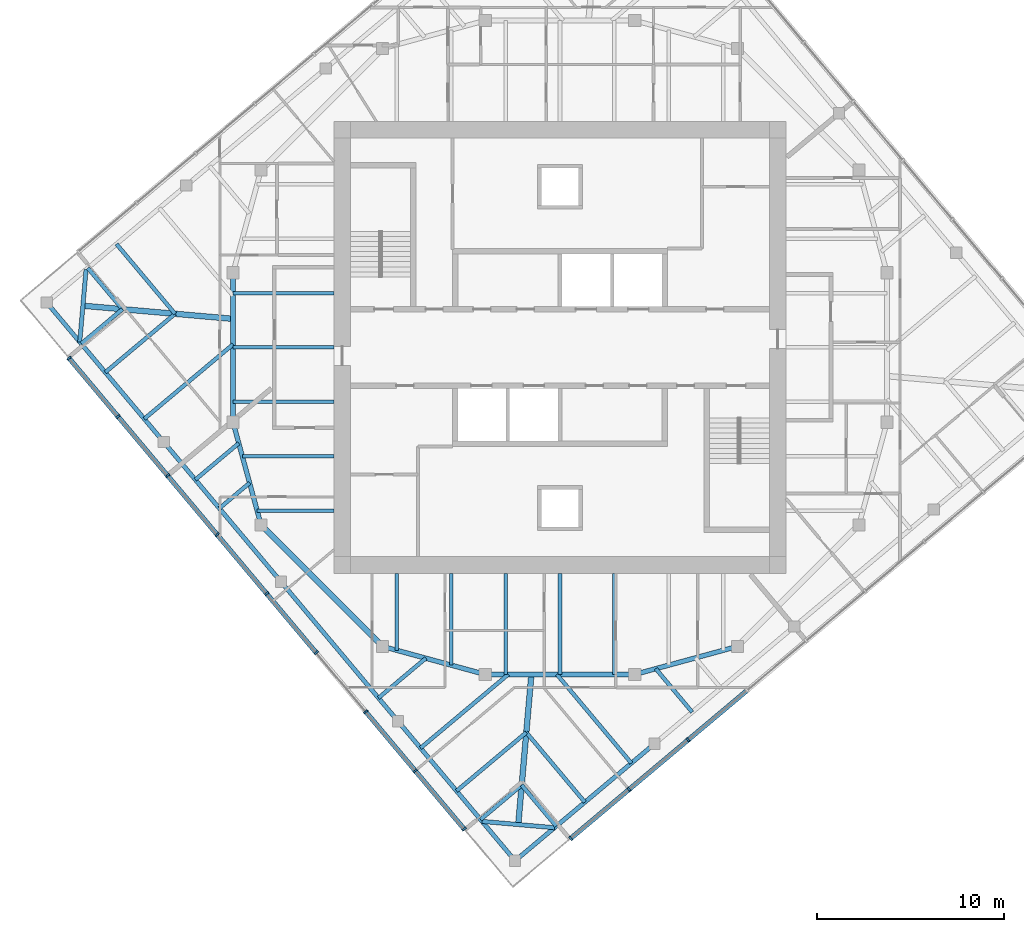
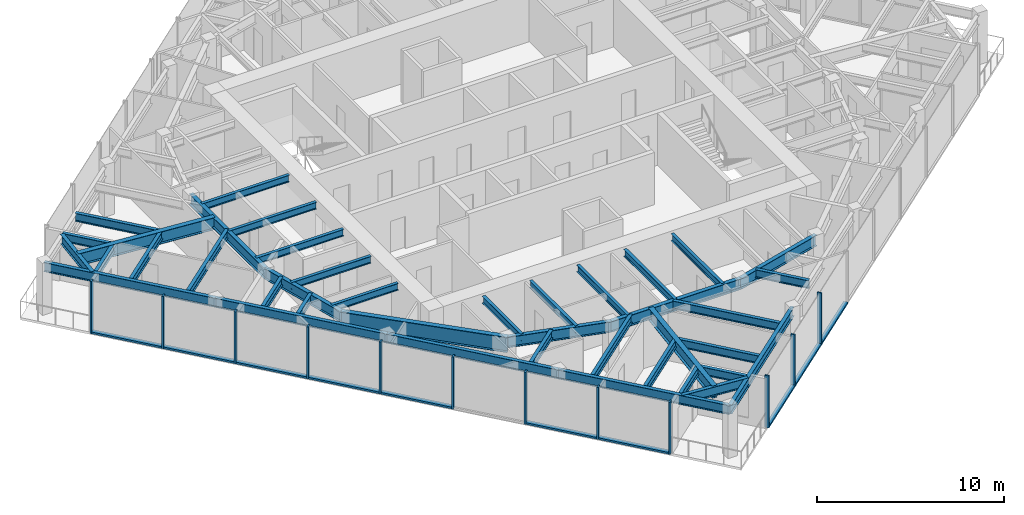
# One storey, part 2 of 12: 40 beams, 22 members, 2 elements without a shape of their own.
"""IFC4 building model written with IfcOpenShell, lengths in metres."""

from ifc_helpers import new_model, si_unit, direction, frame, origin, origin_2d, place, context, subcontext, project, spatial, rectangle, i_section, extrude, material, material_profile, profile_set, type_object, element, aggregate, save


model = new_model("IFC4")

# Units and contexts
model_context = context("Model", 3, precision=1e-05, world=origin(), true_north=direction((0.0, 1.0)))
body_context = subcontext(model_context, "Body", "Model", "MODEL_VIEW")
ifc_project = project(units=[si_unit("LENGTHUNIT", "METRE"), si_unit("AREAUNIT", "SQUARE_METRE"), si_unit("VOLUMEUNIT", "CUBIC_METRE"), si_unit("PLANEANGLEUNIT", "RADIAN"), si_unit("MASSUNIT", "GRAM", prefix="KILO")], contexts=[model_context])

# Site, building, storey
site_placement = place(None, origin())
site = spatial("IfcSite", under=ifc_project, at=site_placement, CompositionType="ELEMENT")
building_placement = place(site_placement, origin())
building = spatial("IfcBuilding", under=site, at=building_placement, Name="Torsade Residences", CompositionType="ELEMENT")
storey_placement = place(building_placement, frame((0.0, 0.0, 293.0)))
storey = spatial("IfcBuildingStorey", under=building, at=storey_placement, Name="L81", CompositionType="ELEMENT", Elevation=293.0)

# Beams
ifc_material_1 = material(Name="Steel grade 300", Category="steel")
ifc_material_profile_1 = material_profile(ifc_material_1, i_section(OverallWidth=0.300048828125, OverallDepth=0.800048828125, WebThickness=0.010009765625, FlangeThickness=0.02001953125, at=origin_2d()), Name="800WB146")
ifc_profile_set_1 = profile_set([ifc_material_profile_1], Name="Steel grade 300")
beam_type_1 = type_object("IfcBeamType", Name="CORNER GIRDER 800WB146", PredefinedType="BEAM", material=ifc_profile_set_1)
for number, where, z_axis, x_axis, name in (
    (1, (37.765869140625, 4.46484375, 2.85009765625), (0.087172957961, 0.996193191806, 0.0), (-0.996193191806, 0.087172957961, 0.0), "Corner girder 01 L82"),
    (2, (14.46484375, 32.234130859375, 2.85009765625), (0.996193191806, -0.087172957961, 0.0), (0.087172957961, 0.996193191806, 0.0), "Corner girder 13 L82"),
):
    element("IfcBeam", number, at=place(storey_placement, frame(where, z_axis=z_axis, x_axis=x_axis)), inside=storey, type_object=beam_type_1, Name=name, PredefinedType="BEAM", context=body_context, shape_type="SweptSolid", body=[
        extrude(i_section(OverallWidth=0.300048828125, OverallDepth=0.800048828125, WebThickness=0.010009765625, FlangeThickness=0.02001953125, at=origin_2d()), origin(), (0.0, 0.0, 1.0), 8.06591796875),
    ])
ifc_material_2 = material(Name="Steel grade 300", Category="steel")
ifc_material_profile_2 = material_profile(ifc_material_2, i_section(OverallWidth=0.22802734375, OverallDepth=0.60205078125, WebThickness=0.010498046875, FlangeThickness=0.014892578125, FilletRadius=0.013916015625, at=origin_2d()), Name="610UB101")
ifc_profile_set_2 = profile_set([ifc_material_profile_2], Name="Steel grade 300")
beam_type_2 = type_object("IfcBeamType", Name="CORNER TRIMMER 610UB101", PredefinedType="BEAM", material=ifc_profile_set_2)
for number, where, z_axis, x_axis, name in (
    (3, (39.703125, 4.29541015625, 2.948974609375), (-0.996196646947, 0.087133464362, 0.0), (-0.087133464362, -0.996196646947, 0.0), "Corner trimmer 01 L82"),
    (4, (14.29541015625, 30.296875, 2.948974609375), (0.087133464362, 0.996196646947, 0.0), (-0.996196646947, 0.087133464362, 0.0), "Corner trimmer 13 L82"),
):
    element("IfcBeam", number, at=place(storey_placement, frame(where, z_axis=z_axis, x_axis=x_axis)), inside=storey, type_object=beam_type_2, Name=name, PredefinedType="BEAM", context=body_context, shape_type="SweptSolid", body=[
        extrude(i_section(OverallWidth=0.22802734375, OverallDepth=0.60205078125, WebThickness=0.010498046875, FlangeThickness=0.014892578125, FilletRadius=0.013916015625, at=origin_2d()), origin(), (0.0, 0.0, 1.0), 3.88916015625),
    ])
ifc_material_3 = material(Name="Steel grade 300", Category="steel")
ifc_material_profile_3 = material_profile(ifc_material_3, i_section(OverallWidth=0.22802734375, OverallDepth=0.60205078125, WebThickness=0.010498046875, FlangeThickness=0.014892578125, FilletRadius=0.013916015625, at=origin_2d()), Name="610UB101")
ifc_profile_set_3 = profile_set([ifc_material_profile_3], Name="Steel grade 300")
beam_type_3 = type_object("IfcBeamType", Name="EDGE BEAM 610UB101", PredefinedType="SPANDREL", material=ifc_profile_set_3)
for number, where, z_axis, x_axis, name in (
    (5, (37.596435546875, 2.52783203125, 2.948974609375), (0.766051532934, 0.642779160279, 0.0), (-0.642779160279, 0.766051532934, 0.0), "Edge beam 01 L82"),
    (6, (12.52783203125, 32.403564453125, 2.948974609375), (0.642779160279, -0.766051532934, 0.0), (0.766051532934, 0.642779160279, 0.0), "Edge beam 13 L82"),
    (7, (18.794921875, 24.9345703125, 2.948974609375), (0.642779160279, -0.766051532934, 0.0), (0.766051532934, 0.642779160279, 0.0), "Edge beam 14 L82"),
    (8, (25.06201171875, 17.465576171875, 2.948974609375), (0.642806184154, -0.766028856906, 0.0), (0.766028856906, 0.642806184154, 0.0), "Edge beam 15 L82"),
    (9, (31.329345703125, 9.996826171875, 2.948974609375), (0.642779160279, -0.766051532934, 0.0), (0.766051532934, 0.642779160279, 0.0), "Edge beam 16 L82"),
):
    element("IfcBeam", number, at=place(storey_placement, frame(where, z_axis=z_axis, x_axis=x_axis)), inside=storey, type_object=beam_type_3, Name=name, PredefinedType="SPANDREL", context=body_context, shape_type="SweptSolid", body=[
        extrude(i_section(OverallWidth=0.22802734375, OverallDepth=0.60205078125, WebThickness=0.010498046875, FlangeThickness=0.014892578125, FilletRadius=0.013916015625, at=origin_2d()), origin(), (0.0, 0.0, 1.0), 9.75),
    ])

# Curtain wall, members
ifc_material_4 = material(Name="Aluminium and glass", Category="aluminium")
curtain_wall_type = type_object("IfcCurtainWallType", Name="FRITTED GLASS CURTAIN WALL HIGH ZONE", PredefinedType="NOTDEFINED", material=ifc_material_4)
curtain_wall_1_placement = place(storey_placement, origin())
curtain_wall_1 = element("IfcCurtainWall", 10, at=curtain_wall_1_placement, inside=storey, type_object=curtain_wall_type, Name="Curtain wall L81 face 1", PredefinedType="NOTDEFINED")
ifc_material_5 = material(Name="Aluminium mullion", Category="aluminium")
ifc_material_profile_4 = material_profile(ifc_material_5, rectangle(XDim=0.25, YDim=0.10009765625, at=origin_2d()), Name="HIGH ZONE CURTAIN WALL MULLION 250x100")
ifc_profile_set_4 = profile_set([ifc_material_profile_4], Name="Aluminium mullion")
member_type_1 = type_object("IfcMemberType", Name="HIGH ZONE CURTAIN WALL MULLION 250x100", PredefinedType="MULLION", material=ifc_profile_set_4)
member_1_placement = place(storey_placement, frame((40.57568359375, 3.72216796875, 0.0), z_axis=(0.0, 0.0, 1.0), x_axis=(-0.642787616853, 0.766044437106, 0.0)))
member_1 = element("IfcMember", 11, at=member_1_placement, type_object=member_type_1, Name="Mullion 1", PredefinedType="MULLION", context=body_context, shape_type="SweptSolid", body=[
    extrude(rectangle(XDim=0.25, YDim=0.10009765625, at=origin_2d()), origin(), (0.0, 0.0, 1.0), 3.39990234375),
])
member_2_placement = place(storey_placement, frame((43.697265625, 6.341552734375, 0.0), z_axis=(0.0, 0.0, 1.0), x_axis=(-0.642787616853, 0.766044437106, 0.0)))
member_2 = element("IfcMember", 12, at=member_2_placement, type_object=member_type_1, Name="Mullion 2", PredefinedType="MULLION", context=body_context, shape_type="SweptSolid", body=[
    extrude(rectangle(XDim=0.25, YDim=0.10009765625, at=origin_2d()), origin(), (0.0, 0.0, 1.0), 3.39990234375),
])
member_3_placement = place(storey_placement, frame((46.857177734375, 8.9931640625, 0.0), z_axis=(0.0, 0.0, 1.0), x_axis=(-0.642787616853, 0.766044437106, 0.0)))
member_3 = element("IfcMember", 13, at=member_3_placement, type_object=member_type_1, Name="Mullion 3", PredefinedType="MULLION", context=body_context, shape_type="SweptSolid", body=[
    extrude(rectangle(XDim=0.25, YDim=0.10009765625, at=origin_2d()), origin(), (0.0, 0.0, 1.0), 3.39990234375),
])

curtain_wall_2_placement = place(storey_placement, origin())
curtain_wall_2 = element("IfcCurtainWall", 14, at=curtain_wall_2_placement, inside=storey, type_object=curtain_wall_type, Name="Curtain wall L81 face 10", PredefinedType="NOTDEFINED")
member_4_placement = place(storey_placement, frame((13.72216796875, 29.42431640625, 0.0), z_axis=(0.0, 0.0, 1.0), x_axis=(0.766044437106, 0.642787616853, 0.0)))
member_4 = element("IfcMember", 15, at=member_4_placement, type_object=member_type_1, Name="Mullion 1", PredefinedType="MULLION", context=body_context, shape_type="SweptSolid", body=[
    extrude(rectangle(XDim=0.25, YDim=0.10009765625, at=origin_2d()), origin(), (0.0, 0.0, 1.0), 3.39990234375),
])
member_5_placement = place(storey_placement, frame((16.341552734375, 26.302734375, 0.0), z_axis=(0.0, 0.0, 1.0), x_axis=(0.766044437106, 0.642787616853, 0.0)))
member_5 = element("IfcMember", 16, at=member_5_placement, type_object=member_type_1, Name="Mullion 2", PredefinedType="MULLION", context=body_context, shape_type="SweptSolid", body=[
    extrude(rectangle(XDim=0.25, YDim=0.10009765625, at=origin_2d()), origin(), (0.0, 0.0, 1.0), 3.39990234375),
])
member_6_placement = place(storey_placement, frame((18.9931640625, 23.142822265625, 0.0), z_axis=(0.0, 0.0, 1.0), x_axis=(0.766044437106, 0.642787616853, 0.0)))
member_6 = element("IfcMember", 17, at=member_6_placement, type_object=member_type_1, Name="Mullion 3", PredefinedType="MULLION", context=body_context, shape_type="SweptSolid", body=[
    extrude(rectangle(XDim=0.25, YDim=0.10009765625, at=origin_2d()), origin(), (0.0, 0.0, 1.0), 3.39990234375),
])
member_7_placement = place(storey_placement, frame((21.64453125, 19.982666015625, 0.0), z_axis=(0.0, 0.0, 1.0), x_axis=(0.766044437106, 0.642787616853, 0.0)))
member_7 = element("IfcMember", 18, at=member_7_placement, type_object=member_type_1, Name="Mullion 4", PredefinedType="MULLION", context=body_context, shape_type="SweptSolid", body=[
    extrude(rectangle(XDim=0.25, YDim=0.10009765625, at=origin_2d()), origin(), (0.0, 0.0, 1.0), 3.39990234375),
])
member_8_placement = place(storey_placement, frame((24.296142578125, 16.82275390625, 0.0), z_axis=(0.0, 0.0, 1.0), x_axis=(0.766044437106, 0.642787616853, 0.0)))
member_8 = element("IfcMember", 19, at=member_8_placement, type_object=member_type_1, Name="Mullion 5", PredefinedType="MULLION", context=body_context, shape_type="SweptSolid", body=[
    extrude(rectangle(XDim=0.25, YDim=0.10009765625, at=origin_2d()), origin(), (0.0, 0.0, 1.0), 3.39990234375),
])
member_9_placement = place(storey_placement, frame((26.947509765625, 13.662841796875, 0.0), z_axis=(0.0, 0.0, 1.0), x_axis=(0.766044437106, 0.642787616853, 0.0)))
member_9 = element("IfcMember", 20, at=member_9_placement, type_object=member_type_1, Name="Mullion 6", PredefinedType="MULLION", context=body_context, shape_type="SweptSolid", body=[
    extrude(rectangle(XDim=0.25, YDim=0.10009765625, at=origin_2d()), origin(), (0.0, 0.0, 1.0), 3.39990234375),
])
member_10_placement = place(storey_placement, frame((29.59912109375, 10.5029296875, 0.0), z_axis=(0.0, 0.0, 1.0), x_axis=(0.766044437106, 0.642787616853, 0.0)))
member_10 = element("IfcMember", 21, at=member_10_placement, type_object=member_type_1, Name="Mullion 7", PredefinedType="MULLION", context=body_context, shape_type="SweptSolid", body=[
    extrude(rectangle(XDim=0.25, YDim=0.10009765625, at=origin_2d()), origin(), (0.0, 0.0, 1.0), 3.39990234375),
])
member_11_placement = place(storey_placement, frame((32.25048828125, 7.343017578125, 0.0), z_axis=(0.0, 0.0, 1.0), x_axis=(0.766044437106, 0.642787616853, 0.0)))
member_11 = element("IfcMember", 22, at=member_11_placement, type_object=member_type_1, Name="Mullion 8", PredefinedType="MULLION", context=body_context, shape_type="SweptSolid", body=[
    extrude(rectangle(XDim=0.25, YDim=0.10009765625, at=origin_2d()), origin(), (0.0, 0.0, 1.0), 3.39990234375),
])
member_12_placement = place(storey_placement, frame((34.869873046875, 4.221435546875, 0.0), z_axis=(0.0, 0.0, 1.0), x_axis=(0.766044437106, 0.642787616853, 0.0)))
member_12 = element("IfcMember", 23, at=member_12_placement, type_object=member_type_1, Name="Mullion 9", PredefinedType="MULLION", context=body_context, shape_type="SweptSolid", body=[
    extrude(rectangle(XDim=0.25, YDim=0.10009765625, at=origin_2d()), origin(), (0.0, 0.0, 1.0), 3.39990234375),
])

# Member
ifc_material_6 = material(Name="Aluminium transom", Category="aluminium")
ifc_material_profile_5 = material_profile(ifc_material_6, rectangle(XDim=0.25, YDim=0.1201171875, at=origin_2d()), Name="HIGH ZONE CURTAIN WALL TRANSOM 250x120")
ifc_profile_set_5 = profile_set([ifc_material_profile_5], Name="Aluminium transom")
member_type_2 = type_object("IfcMemberType", Name="HIGH ZONE CURTAIN WALL TRANSOM 250x120", PredefinedType="USERDEFINED", material=ifc_profile_set_5)
member_13_placement = place(storey_placement, frame((40.614013671875, 3.75439453125, 0.06005859375), z_axis=(0.766021778456, 0.642814619413, 0.0), x_axis=(-0.642814619413, 0.766021778456, 0.0)))
member_13 = element("IfcMember", 24, at=member_13_placement, type_object=member_type_2, Name="Transom 1.1", ObjectType="TRANSOM", PredefinedType="USERDEFINED", context=body_context, shape_type="SweptSolid", body=[
    extrude(rectangle(XDim=0.25, YDim=0.1201171875, at=origin_2d()), origin(), (0.0, 0.0, 1.0), 3.97509765625),
])

member_14_placement = place(storey_placement, frame((43.735595703125, 6.373779296875, 0.06005859375), z_axis=(0.766069182322, 0.6427581255, 0.0), x_axis=(-0.6427581255, 0.766069182322, 0.0)))
member_14 = element("IfcMember", 25, at=member_14_placement, type_object=member_type_2, Name="Transom 2.1", ObjectType="TRANSOM", PredefinedType="USERDEFINED", context=body_context, shape_type="SweptSolid", body=[
    extrude(rectangle(XDim=0.25, YDim=0.1201171875, at=origin_2d()), origin(), (0.0, 0.0, 1.0), 4.025146484375),
])

member_15_placement = place(storey_placement, frame((46.8955078125, 9.025146484375, 0.06005859375), z_axis=(0.766039316443, 0.642793719372, 0.0), x_axis=(-0.642793719372, 0.766039316443, 0.0)))
member_15 = element("IfcMember", 26, at=member_15_placement, type_object=member_type_2, Name="Transom 3.1", ObjectType="TRANSOM", PredefinedType="USERDEFINED", context=body_context, shape_type="SweptSolid", body=[
    extrude(rectangle(XDim=0.25, YDim=0.1201171875, at=origin_2d()), origin(), (0.0, 0.0, 1.0), 4.025146484375),
])

aggregate(curtain_wall_1, [member_1, member_2, member_3, member_13, member_14, member_15])

member_16_placement = place(storey_placement, frame((13.75439453125, 29.385986328125, 0.06005859375), z_axis=(0.642814619413, -0.766021778456, 0.0), x_axis=(0.766021778456, 0.642814619413, 0.0)))
member_16 = element("IfcMember", 27, at=member_16_placement, type_object=member_type_2, Name="Transom 1.1", ObjectType="TRANSOM", PredefinedType="USERDEFINED", context=body_context, shape_type="SweptSolid", body=[
    extrude(rectangle(XDim=0.25, YDim=0.1201171875, at=origin_2d()), origin(), (0.0, 0.0, 1.0), 3.97509765625),
])

member_17_placement = place(storey_placement, frame((16.373779296875, 26.264404296875, 0.06005859375), z_axis=(0.6427581255, -0.766069182322, 0.0), x_axis=(0.766069182322, 0.6427581255, 0.0)))
member_17 = element("IfcMember", 28, at=member_17_placement, type_object=member_type_2, Name="Transom 2.1", ObjectType="TRANSOM", PredefinedType="USERDEFINED", context=body_context, shape_type="SweptSolid", body=[
    extrude(rectangle(XDim=0.25, YDim=0.1201171875, at=origin_2d()), origin(), (0.0, 0.0, 1.0), 4.025146484375),
])

member_18_placement = place(storey_placement, frame((19.025146484375, 23.1044921875, 0.06005859375), z_axis=(0.642793719372, -0.766039316443, 0.0), x_axis=(0.766039316443, 0.642793719372, 0.0)))
member_18 = element("IfcMember", 29, at=member_18_placement, type_object=member_type_2, Name="Transom 3.1", ObjectType="TRANSOM", PredefinedType="USERDEFINED", context=body_context, shape_type="SweptSolid", body=[
    extrude(rectangle(XDim=0.25, YDim=0.1201171875, at=origin_2d()), origin(), (0.0, 0.0, 1.0), 4.025146484375),
])

member_19_placement = place(storey_placement, frame((21.6767578125, 19.944580078125, 0.06005859375), z_axis=(0.6427581255, -0.766069182322, 0.0), x_axis=(0.766069182322, 0.6427581255, 0.0)))
member_19 = element("IfcMember", 30, at=member_19_placement, type_object=member_type_2, Name="Transom 4.1", ObjectType="TRANSOM", PredefinedType="USERDEFINED", context=body_context, shape_type="SweptSolid", body=[
    extrude(rectangle(XDim=0.25, YDim=0.1201171875, at=origin_2d()), origin(), (0.0, 0.0, 1.0), 4.025146484375),
])

member_20_placement = place(storey_placement, frame((24.328125, 16.78466796875, 0.06005859375), z_axis=(0.642793719372, -0.766039316443, 0.0), x_axis=(0.766039316443, 0.642793719372, 0.0)))
member_20 = element("IfcMember", 31, at=member_20_placement, type_object=member_type_2, Name="Transom 5.1", ObjectType="TRANSOM", PredefinedType="USERDEFINED", context=body_context, shape_type="SweptSolid", body=[
    extrude(rectangle(XDim=0.25, YDim=0.1201171875, at=origin_2d()), origin(), (0.0, 0.0, 1.0), 4.025146484375),
])

member_21_placement = place(storey_placement, frame((29.63134765625, 10.464599609375, 0.06005859375), z_axis=(0.642787992616, -0.766044121803, 0.0), x_axis=(0.766044121803, 0.642787992616, 0.0)))
member_21 = element("IfcMember", 32, at=member_21_placement, type_object=member_type_2, Name="Transom 7.1", ObjectType="TRANSOM", PredefinedType="USERDEFINED", context=body_context, shape_type="SweptSolid", body=[
    extrude(rectangle(XDim=0.25, YDim=0.1201171875, at=origin_2d()), origin(), (0.0, 0.0, 1.0), 4.02490234375),
])

member_22_placement = place(storey_placement, frame((32.28271484375, 7.3046875, 0.06005859375), z_axis=(0.642814619413, -0.766021778456, 0.0), x_axis=(0.766021778456, 0.642814619413, 0.0)))
member_22 = element("IfcMember", 33, at=member_22_placement, type_object=member_type_2, Name="Transom 8.1", ObjectType="TRANSOM", PredefinedType="USERDEFINED", context=body_context, shape_type="SweptSolid", body=[
    extrude(rectangle(XDim=0.25, YDim=0.1201171875, at=origin_2d()), origin(), (0.0, 0.0, 1.0), 3.97509765625),
])

aggregate(curtain_wall_2, [member_4, member_5, member_6, member_7, member_8, member_9, member_10, member_11, member_12, member_16, member_17, member_18, member_19, member_20, member_21, member_22])

# Beams
ifc_material_7 = material(Name="Steel grade 300", Category="steel")
ifc_material_profile_6 = material_profile(ifc_material_7, i_section(OverallWidth=0.18994140625, OverallDepth=0.4541015625, WebThickness=0.008544921875, FlangeThickness=0.0126953125, FilletRadius=0.011474609375, at=origin_2d()), Name="460UB67.1")
ifc_profile_set_6 = profile_set([ifc_material_profile_6], Name="Steel grade 300")
beam_type_4 = type_object("IfcBeamType", Name="INNER FLOOR BEAM 460UB67.1", PredefinedType="JOIST", material=ifc_profile_set_6)
for number, where, z_axis, x_axis, name in (
    (34, (42.91259765625, 17.89990234375, 3.02294921875), (0.0, -1.0, 0.0), (1.0, 0.0, 0.0), "Inner floor beam IS03 L82"),
    (35, (40.0, 17.89990234375, 3.02294921875), (0.0, -1.0, 0.0), (1.0, 0.0, 0.0), "Inner floor beam IS04 L82"),
    (36, (37.08740234375, 17.89990234375, 3.02294921875), (0.0, -1.0, 0.0), (1.0, 0.0, 0.0), "Inner floor beam IS05 L82"),
):
    element("IfcBeam", number, at=place(storey_placement, frame(where, z_axis=z_axis, x_axis=x_axis)), inside=storey, type_object=beam_type_4, Name=name, PredefinedType="JOIST", context=body_context, shape_type="SweptSolid", body=[
        extrude(i_section(OverallWidth=0.18994140625, OverallDepth=0.4541015625, WebThickness=0.008544921875, FlangeThickness=0.0126953125, FilletRadius=0.011474609375, at=origin_2d()), origin(), (0.0, 0.0, 1.0), 5.39990234375),
    ])
beam_1_placement = place(storey_placement, frame((34.175048828125, 17.89990234375, 3.02294921875), z_axis=(0.0, -1.0, 0.0), x_axis=(1.0, 0.0, 0.0)))
element("IfcBeam", 37, at=beam_1_placement, inside=storey, type_object=beam_type_4, Name="Inner floor beam IS06 L82", PredefinedType="JOIST", context=body_context, shape_type="SweptSolid", body=[
    extrude(i_section(OverallWidth=0.18994140625, OverallDepth=0.4541015625, WebThickness=0.008544921875, FlangeThickness=0.0126953125, FilletRadius=0.011474609375, at=origin_2d()), origin(), (0.0, 0.0, 1.0), 4.902099609375),
])
beam_2_placement = place(storey_placement, frame((31.262451171875, 17.89990234375, 3.02294921875), z_axis=(0.0, -1.0, 0.0), x_axis=(1.0, 0.0, 0.0)))
element("IfcBeam", 38, at=beam_2_placement, inside=storey, type_object=beam_type_4, Name="Inner floor beam IS07 L82", PredefinedType="JOIST", context=body_context, shape_type="SweptSolid", body=[
    extrude(i_section(OverallWidth=0.18994140625, OverallDepth=0.4541015625, WebThickness=0.008544921875, FlangeThickness=0.0126953125, FilletRadius=0.011474609375, at=origin_2d()), origin(), (0.0, 0.0, 1.0), 4.10791015625),
])
for number, where, z_axis, x_axis, name in (
    (39, (27.89990234375, 32.91259765625, 3.02294921875), (-1.0, 0.0, 0.0), (0.0, -1.0, 0.0), "Inner floor beam IW03 L82"),
    (40, (27.89990234375, 30.0, 3.02294921875), (-1.0, 0.0, 0.0), (0.0, -1.0, 0.0), "Inner floor beam IW04 L82"),
    (41, (27.89990234375, 27.08740234375, 3.02294921875), (-1.0, 0.0, 0.0), (0.0, -1.0, 0.0), "Inner floor beam IW05 L82"),
):
    element("IfcBeam", number, at=place(storey_placement, frame(where, z_axis=z_axis, x_axis=x_axis)), inside=storey, type_object=beam_type_4, Name=name, PredefinedType="JOIST", context=body_context, shape_type="SweptSolid", body=[
        extrude(i_section(OverallWidth=0.18994140625, OverallDepth=0.4541015625, WebThickness=0.008544921875, FlangeThickness=0.0126953125, FilletRadius=0.011474609375, at=origin_2d()), origin(), (0.0, 0.0, 1.0), 5.39990234375),
    ])
beam_3_placement = place(storey_placement, frame((27.89990234375, 24.175048828125, 3.02294921875), z_axis=(-1.0, 0.0, 0.0), x_axis=(0.0, -1.0, 0.0)))
element("IfcBeam", 42, at=beam_3_placement, inside=storey, type_object=beam_type_4, Name="Inner floor beam IW06 L82", PredefinedType="JOIST", context=body_context, shape_type="SweptSolid", body=[
    extrude(i_section(OverallWidth=0.18994140625, OverallDepth=0.4541015625, WebThickness=0.008544921875, FlangeThickness=0.0126953125, FilletRadius=0.011474609375, at=origin_2d()), origin(), (0.0, 0.0, 1.0), 4.902099609375),
])
beam_4_placement = place(storey_placement, frame((27.89990234375, 21.262451171875, 3.02294921875), z_axis=(-1.0, 0.0, 0.0), x_axis=(0.0, -1.0, 0.0)))
element("IfcBeam", 43, at=beam_4_placement, inside=storey, type_object=beam_type_4, Name="Inner floor beam IW07 L82", PredefinedType="JOIST", context=body_context, shape_type="SweptSolid", body=[
    extrude(i_section(OverallWidth=0.18994140625, OverallDepth=0.4541015625, WebThickness=0.008544921875, FlangeThickness=0.0126953125, FilletRadius=0.011474609375, at=origin_2d()), origin(), (0.0, 0.0, 1.0), 4.10791015625),
])
ifc_material_8 = material(Name="Steel grade 300", Category="steel")
ifc_material_profile_7 = material_profile(ifc_material_8, i_section(OverallWidth=0.300048828125, OverallDepth=1.0, WebThickness=0.01611328125, FlangeThickness=0.028076171875, at=origin_2d()), Name="1000WB215")
ifc_profile_set_7 = profile_set([ifc_material_profile_7], Name="Steel grade 300")
beam_type_5 = type_object("IfcBeamType", Name="RING CORNER GIRDER 1000WB215", PredefinedType="BEAM", material=ifc_profile_set_7)
beam_5_placement = place(storey_placement, frame((24.0, 20.5, 2.75), z_axis=(0.707106781187, -0.707106781187, 0.0), x_axis=(0.707106781187, 0.707106781187, 0.0)))
element("IfcBeam", 44, at=beam_5_placement, inside=storey, type_object=beam_type_5, Name="Ring girder IR11 L82", PredefinedType="BEAM", context=body_context, shape_type="SweptSolid", body=[
    extrude(i_section(OverallWidth=0.300048828125, OverallDepth=1.0, WebThickness=0.01611328125, FlangeThickness=0.028076171875, at=origin_2d()), origin(), (0.0, 0.0, 1.0), 9.1923828125),
])
ifc_material_9 = material(Name="Steel grade 300", Category="steel")
ifc_material_profile_8 = material_profile(ifc_material_9, i_section(OverallWidth=0.25, OverallDepth=0.699951171875, WebThickness=0.010009765625, FlangeThickness=0.02001953125, at=origin_2d()), Name="700WB130")
ifc_profile_set_8 = profile_set([ifc_material_profile_8], Name="Steel grade 300")
beam_type_6 = type_object("IfcBeamType", Name="RING GIRDER 700WB130", PredefinedType="BEAM", material=ifc_profile_set_8)
beam_6_placement = place(storey_placement, frame((22.5, 34.0, 2.89990234375), z_axis=(0.0, -1.0, 0.0), x_axis=(1.0, 0.0, 0.0)))
element("IfcBeam", 45, at=beam_6_placement, inside=storey, type_object=beam_type_6, Name="Ring girder IR09 L82", PredefinedType="BEAM", context=body_context, shape_type="SweptSolid", body=[
    extrude(i_section(OverallWidth=0.25, OverallDepth=0.699951171875, WebThickness=0.010009765625, FlangeThickness=0.02001953125, at=origin_2d()), origin(), (0.0, 0.0, 1.0), 8.0),
])
for number, where, z_axis, x_axis, name in (
    (46, (22.5, 26.0, 2.89990234375), (0.263117405792, -0.964763821238, 0.0), (0.964763821238, 0.263117405792, 0.0), "Ring girder IR10 L82"),
    (47, (30.5, 14.0, 2.89990234375), (0.964763821238, -0.263117405792, 0.0), (0.263117405792, 0.964763821238, 0.0), "Ring girder IR12 L82"),
):
    element("IfcBeam", number, at=place(storey_placement, frame(where, z_axis=z_axis, x_axis=x_axis)), inside=storey, type_object=beam_type_6, Name=name, PredefinedType="BEAM", context=body_context, shape_type="SweptSolid", body=[
        extrude(i_section(OverallWidth=0.25, OverallDepth=0.699951171875, WebThickness=0.010009765625, FlangeThickness=0.02001953125, at=origin_2d()), origin(), (0.0, 0.0, 1.0), 5.700927734375),
    ])
beam_7_placement = place(storey_placement, frame((36.0, 12.5, 2.89990234375), z_axis=(1.0, 0.0, 0.0), x_axis=(0.0, 1.0, 0.0)))
element("IfcBeam", 48, at=beam_7_placement, inside=storey, type_object=beam_type_6, Name="Ring girder IR13 L82", PredefinedType="BEAM", context=body_context, shape_type="SweptSolid", body=[
    extrude(i_section(OverallWidth=0.25, OverallDepth=0.699951171875, WebThickness=0.010009765625, FlangeThickness=0.02001953125, at=origin_2d()), origin(), (0.0, 0.0, 1.0), 8.0),
])
beam_8_placement = place(storey_placement, frame((44.0, 12.5, 2.89990234375), z_axis=(0.964763821238, 0.263117405792, 0.0), x_axis=(-0.263117405792, 0.964763821238, 0.0)))
element("IfcBeam", 49, at=beam_8_placement, inside=storey, type_object=beam_type_6, Name="Ring girder IR14 L82", PredefinedType="BEAM", context=body_context, shape_type="SweptSolid", body=[
    extrude(i_section(OverallWidth=0.25, OverallDepth=0.699951171875, WebThickness=0.010009765625, FlangeThickness=0.02001953125, at=origin_2d()), origin(), (0.0, 0.0, 1.0), 5.700927734375),
])
ifc_material_10 = material(Name="Steel grade 300", Category="steel")
ifc_material_profile_9 = material_profile(ifc_material_10, i_section(OverallWidth=0.208984375, OverallDepth=0.532958984375, WebThickness=0.01025390625, FlangeThickness=0.015625, FilletRadius=0.013916015625, at=origin_2d()), Name="530UB92.4")
ifc_profile_set_9 = profile_set([ifc_material_profile_9], Name="Steel grade 300")
beam_type_7 = type_object("IfcBeamType", Name="SECONDARY BEAM 530UB92.4", PredefinedType="JOIST", material=ifc_profile_set_9)
beam_9_placement = place(storey_placement, frame((39.798828125, 4.375732421875, 2.9833984375), z_axis=(-0.642761807001, 0.766066093402, 0.0), x_axis=(-0.766066093402, -0.642761807001, 0.0)))
element("IfcBeam", 50, at=beam_9_placement, inside=storey, type_object=beam_type_7, Name="Floor beam FS01 L82", PredefinedType="JOIST", context=body_context, shape_type="SweptSolid", body=[
    extrude(i_section(OverallWidth=0.208984375, OverallDepth=0.532958984375, WebThickness=0.01025390625, FlangeThickness=0.015625, FilletRadius=0.013916015625, at=origin_2d()), origin(), (0.0, 0.0, 1.0), 2.875),
])
beam_10_placement = place(storey_placement, frame((41.3310546875, 5.661376953125, 2.9833984375), z_axis=(-0.642820877376, 0.766016526982, 0.0), x_axis=(-0.766016526982, -0.642820877376, 0.0)))
element("IfcBeam", 51, at=beam_10_placement, inside=storey, type_object=beam_type_7, Name="Floor beam FS02 L82", PredefinedType="JOIST", context=body_context, shape_type="SweptSolid", body=[
    extrude(i_section(OverallWidth=0.208984375, OverallDepth=0.532958984375, WebThickness=0.01025390625, FlangeThickness=0.015625, FilletRadius=0.013916015625, at=origin_2d()), origin(), (0.0, 0.0, 1.0), 4.875),
])
beam_11_placement = place(storey_placement, frame((43.820556640625, 7.75048828125, 2.9833984375), z_axis=(-0.642791209238, 0.766041422722, 0.0), x_axis=(-0.766041422722, -0.642791209238, 0.0)))
element("IfcBeam", 52, at=beam_11_placement, inside=storey, type_object=beam_type_7, Name="Floor beam FS03 L82", PredefinedType="JOIST", context=body_context, shape_type="SweptSolid", body=[
    extrude(i_section(OverallWidth=0.208984375, OverallDepth=0.532958984375, WebThickness=0.01025390625, FlangeThickness=0.015625, FilletRadius=0.013916015625, at=origin_2d()), origin(), (0.0, 0.0, 1.0), 6.199951171875),
])
beam_12_placement = place(storey_placement, frame((47.076171875, 10.482177734375, 2.9833984375), z_axis=(-0.64274480196, 0.766080361029, 0.0), x_axis=(-0.766080361029, -0.64274480196, 0.0)))
element("IfcBeam", 53, at=beam_12_placement, inside=storey, type_object=beam_type_7, Name="Floor beam FS04 L82", PredefinedType="JOIST", context=body_context, shape_type="SweptSolid", body=[
    extrude(i_section(OverallWidth=0.208984375, OverallDepth=0.532958984375, WebThickness=0.01025390625, FlangeThickness=0.015625, FilletRadius=0.013916015625, at=origin_2d()), origin(), (0.0, 0.0, 1.0), 3.03466796875),
])
beam_13_placement = place(storey_placement, frame((16.26220703125, 35.537109375, 2.9833984375), z_axis=(0.642791490223, -0.766041186946, 0.0), x_axis=(0.766041186946, 0.642791490223, 0.0)))
element("IfcBeam", 54, at=beam_13_placement, inside=storey, type_object=beam_type_7, Name="Floor beam FN11 L82", PredefinedType="JOIST", context=body_context, shape_type="SweptSolid", body=[
    extrude(i_section(OverallWidth=0.208984375, OverallDepth=0.532958984375, WebThickness=0.01025390625, FlangeThickness=0.015625, FilletRadius=0.013916015625, at=origin_2d()), origin(), (0.0, 0.0, 1.0), 4.875),
])
for number, where, z_axis, x_axis, name in (
    (55, (14.730224609375, 34.25146484375, 2.9833984375), (0.642761807001, -0.766066093402, 0.0), (0.766066093402, 0.642761807001, 0.0), "Floor beam FN12 L82"),
    (56, (14.375732421875, 30.201171875, 2.9833984375), (0.766066093402, 0.642761807001, 0.0), (-0.642761807001, 0.766066093402, 0.0), "Floor beam FW01 L82"),
):
    element("IfcBeam", number, at=place(storey_placement, frame(where, z_axis=z_axis, x_axis=x_axis)), inside=storey, type_object=beam_type_7, Name=name, PredefinedType="JOIST", context=body_context, shape_type="SweptSolid", body=[
        extrude(i_section(OverallWidth=0.208984375, OverallDepth=0.532958984375, WebThickness=0.01025390625, FlangeThickness=0.015625, FilletRadius=0.013916015625, at=origin_2d()), origin(), (0.0, 0.0, 1.0), 2.875),
    ])
beam_14_placement = place(storey_placement, frame((15.661376953125, 28.6689453125, 2.9833984375), z_axis=(0.766016526982, 0.642820877376, 0.0), x_axis=(-0.642820877376, 0.766016526982, 0.0)))
element("IfcBeam", 57, at=beam_14_placement, inside=storey, type_object=beam_type_7, Name="Floor beam FW02 L82", PredefinedType="JOIST", context=body_context, shape_type="SweptSolid", body=[
    extrude(i_section(OverallWidth=0.208984375, OverallDepth=0.532958984375, WebThickness=0.01025390625, FlangeThickness=0.015625, FilletRadius=0.013916015625, at=origin_2d()), origin(), (0.0, 0.0, 1.0), 4.875),
])
beam_15_placement = place(storey_placement, frame((17.75048828125, 26.179443359375, 2.9833984375), z_axis=(0.766041422722, 0.642791209238, 0.0), x_axis=(-0.642791209238, 0.766041422722, 0.0)))
element("IfcBeam", 58, at=beam_15_placement, inside=storey, type_object=beam_type_7, Name="Floor beam FW03 L82", PredefinedType="JOIST", context=body_context, shape_type="SweptSolid", body=[
    extrude(i_section(OverallWidth=0.208984375, OverallDepth=0.532958984375, WebThickness=0.01025390625, FlangeThickness=0.015625, FilletRadius=0.013916015625, at=origin_2d()), origin(), (0.0, 0.0, 1.0), 6.199951171875),
])
beam_16_placement = place(storey_placement, frame((20.482177734375, 22.923828125, 2.9833984375), z_axis=(0.766080361029, 0.64274480196, 0.0), x_axis=(-0.64274480196, 0.766080361029, 0.0)))
element("IfcBeam", 59, at=beam_16_placement, inside=storey, type_object=beam_type_7, Name="Floor beam FW04 L82", PredefinedType="JOIST", context=body_context, shape_type="SweptSolid", body=[
    extrude(i_section(OverallWidth=0.208984375, OverallDepth=0.532958984375, WebThickness=0.01025390625, FlangeThickness=0.015625, FilletRadius=0.013916015625, at=origin_2d()), origin(), (0.0, 0.0, 1.0), 3.03466796875),
])
beam_17_placement = place(storey_placement, frame((21.767822265625, 21.3916015625, 2.9833984375), z_axis=(0.766057560226, 0.642771977004, 0.0), x_axis=(-0.642771977004, 0.766057560226, 0.0)))
element("IfcBeam", 60, at=beam_17_placement, inside=storey, type_object=beam_type_7, Name="Floor beam FW05 L82", PredefinedType="JOIST", context=body_context, shape_type="SweptSolid", body=[
    extrude(i_section(OverallWidth=0.208984375, OverallDepth=0.532958984375, WebThickness=0.01025390625, FlangeThickness=0.015625, FilletRadius=0.013916015625, at=origin_2d()), origin(), (0.0, 0.0, 1.0), 2.113037109375),
])
beam_18_placement = place(storey_placement, frame((30.28466796875, 11.241455078125, 2.9833984375), z_axis=(0.766044990879, 0.642786956891, 0.0), x_axis=(-0.642786956891, 0.766044990879, 0.0)))
element("IfcBeam", 61, at=beam_18_placement, inside=storey, type_object=beam_type_7, Name="Floor beam FW09 L82", PredefinedType="JOIST", context=body_context, shape_type="SweptSolid", body=[
    extrude(i_section(OverallWidth=0.208984375, OverallDepth=0.532958984375, WebThickness=0.01025390625, FlangeThickness=0.015625, FilletRadius=0.013916015625, at=origin_2d()), origin(), (0.0, 0.0, 1.0), 3.307861328125),
])
beam_19_placement = place(storey_placement, frame((32.534423828125, 8.560302734375, 2.9833984375), z_axis=(0.766039049329, 0.642794037701, 0.0), x_axis=(-0.642794037701, 0.766039049329, 0.0)))
element("IfcBeam", 62, at=beam_19_placement, inside=storey, type_object=beam_type_7, Name="Floor beam FW10 L82", PredefinedType="JOIST", context=body_context, shape_type="SweptSolid", body=[
    extrude(i_section(OverallWidth=0.208984375, OverallDepth=0.532958984375, WebThickness=0.01025390625, FlangeThickness=0.015625, FilletRadius=0.013916015625, at=origin_2d()), origin(), (0.0, 0.0, 1.0), 6.12890625),
])
beam_20_placement = place(storey_placement, frame((34.462890625, 6.26220703125, 2.9833984375), z_axis=(0.766041186946, 0.642791490223, 0.0), x_axis=(-0.642791490223, 0.766041186946, 0.0)))
element("IfcBeam", 63, at=beam_20_placement, inside=storey, type_object=beam_type_7, Name="Floor beam FW11 L82", PredefinedType="JOIST", context=body_context, shape_type="SweptSolid", body=[
    extrude(i_section(OverallWidth=0.208984375, OverallDepth=0.532958984375, WebThickness=0.01025390625, FlangeThickness=0.015625, FilletRadius=0.013916015625, at=origin_2d()), origin(), (0.0, 0.0, 1.0), 4.875),
])
beam_21_placement = place(storey_placement, frame((35.74853515625, 4.730224609375, 2.9833984375), z_axis=(0.766066093402, 0.642761807001, 0.0), x_axis=(-0.642761807001, 0.766066093402, 0.0)))
element("IfcBeam", 64, at=beam_21_placement, inside=storey, type_object=beam_type_7, Name="Floor beam FW12 L82", PredefinedType="JOIST", context=body_context, shape_type="SweptSolid", body=[
    extrude(i_section(OverallWidth=0.208984375, OverallDepth=0.532958984375, WebThickness=0.01025390625, FlangeThickness=0.015625, FilletRadius=0.013916015625, at=origin_2d()), origin(), (0.0, 0.0, 1.0), 2.875),
])

save(model, "model.ifc")
